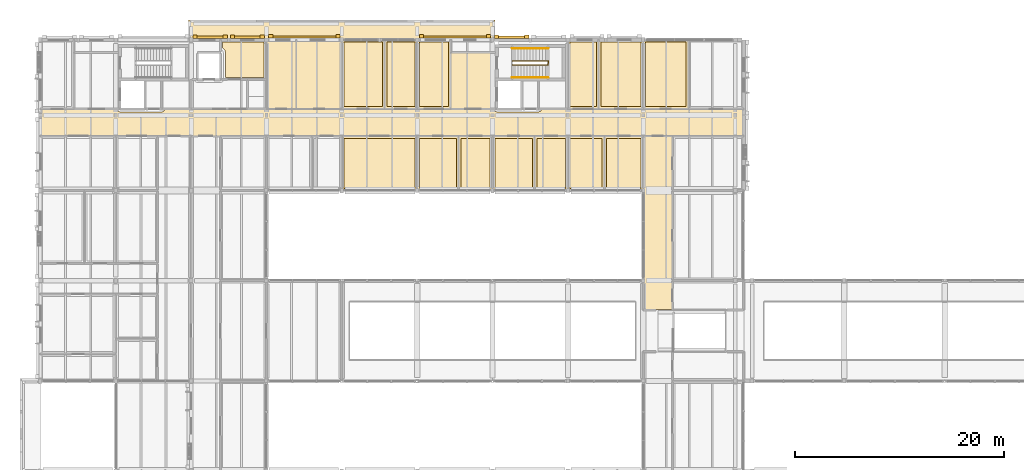
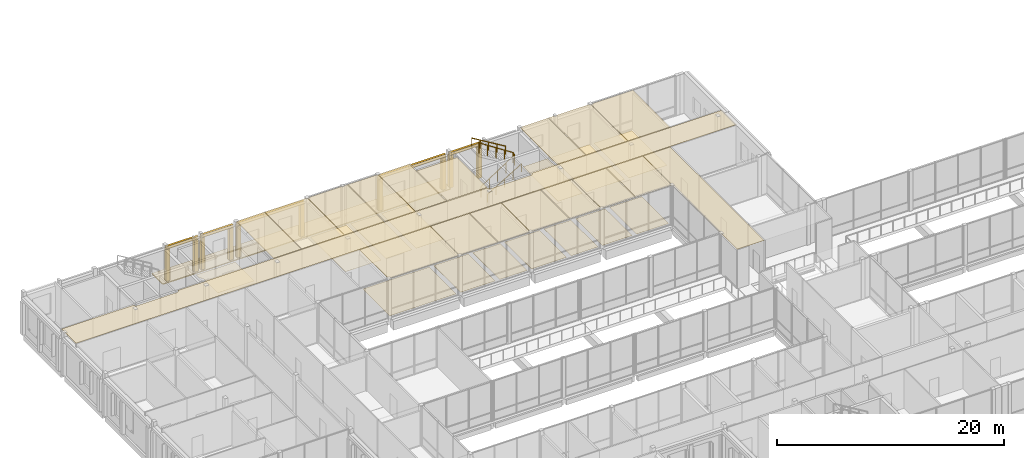
# One storey, part 136 of 146: 48 coverings, 3 railings.
"""IFC4 building model written with IfcOpenShell, lengths in metres."""

from ifc_helpers import new_model, si_unit, direction, frame, origin, origin_2d, place, context, subcontext, project, spatial, polyline, rectangle, circle, outline, extrude, material, layer, layer_set, type_object, element, save


model = new_model("IFC4")

# Units and contexts
model_context = context("Model", 3, precision=1e-05, world=origin(), true_north=direction((0.0, 1.0)))
body_context = subcontext(model_context, "Body", "Model", "MODEL_VIEW")
ifc_project = project(units=[si_unit("LENGTHUNIT", "METRE"), si_unit("AREAUNIT", "SQUARE_METRE"), si_unit("VOLUMEUNIT", "CUBIC_METRE"), si_unit("PLANEANGLEUNIT", "RADIAN"), si_unit("MASSUNIT", "GRAM", prefix="KILO")], contexts=[model_context])

# Site, building, storey
site_placement = place(None, origin())
site = spatial("IfcSite", under=ifc_project, at=site_placement, CompositionType="ELEMENT")
building_placement = place(site_placement, origin())
building = spatial("IfcBuilding", under=site, at=building_placement, Name="Hawrajan Terrace Health Centre", CompositionType="ELEMENT")
storey_placement = place(building_placement, frame((0.0, 0.0, 4.5)))
storey = spatial("IfcBuildingStorey", under=building, at=storey_placement, Name="L01", CompositionType="ELEMENT", Elevation=4.5)

# Coverings
ifc_material_1 = material(Name="Precast concrete C40/50", Category="concrete")
ifc_layer_1 = layer(ifc_material_1, 0.219970703125)
ifc_layer_set_1 = layer_set([ifc_layer_1], Name="Precast concrete C40/50")
covering_type_1 = type_object("IfcCoveringType", Name="ArtDecoCorniceBand", PredefinedType="CLADDING", material=ifc_layer_set_1)
covering_1_placement = place(storey_placement, frame((20.820068359375, 60.06005859375, 3.48974609375), z_axis=(0.0, 0.0, 1.0), x_axis=(1.0, 0.0, 0.0)))
element("IfcCovering", 1, at=covering_1_placement, inside=storey, type_object=covering_type_1, Name="Art Deco limestone cornice band CRN-L01-0062", PredefinedType="CLADDING", context=body_context, shape_type="SweptSolid", body=[
    extrude(rectangle(XDim=3.280029296875, YDim=0.219970703125, at=origin_2d()), origin(), (0.0, 0.0, 1.0), 0.300048828125),
])
covering_2_placement = place(storey_placement, frame((24.3701171875, 60.06005859375, 3.48974609375), z_axis=(0.0, 0.0, 1.0), x_axis=(1.0, 0.0, 0.0)))
element("IfcCovering", 2, at=covering_2_placement, inside=storey, type_object=covering_type_1, Name="Art Deco limestone cornice band CRN-L01-0063", PredefinedType="CLADDING", context=body_context, shape_type="SweptSolid", body=[
    extrude(rectangle(XDim=3.260009765625, YDim=0.219970703125, at=origin_2d()), origin(), (0.0, 0.0, 1.0), 0.300048828125),
])
for number, where, z_axis, x_axis, name in (
    (3, (29.81005859375, 60.070068359375, 3.48974609375), (0.0, 0.0, 1.0), (1.0, 0.0, 0.0), "Art Deco limestone cornice band CRN-L01-0065"),
    (4, (44.2099609375, 60.070068359375, 3.48974609375), (0.0, 0.0, 1.0), (1.0, 0.0, 0.0), "Art Deco limestone cornice band CRN-L01-0068"),
):
    element("IfcCovering", number, at=place(storey_placement, frame(where, z_axis=z_axis, x_axis=x_axis)), inside=storey, type_object=covering_type_1, Name=name, PredefinedType="CLADDING", context=body_context, shape_type="SweptSolid", body=[
        extrude(rectangle(XDim=6.820068359375, YDim=0.219970703125, at=origin_2d()), origin(), (0.0, 0.0, 1.0), 0.300048828125),
    ])
covering_3_placement = place(storey_placement, frame((49.6201171875, 60.06005859375, 3.48974609375), z_axis=(0.0, 0.0, 1.0), x_axis=(1.0, 0.0, 0.0)))
element("IfcCovering", 5, at=covering_3_placement, inside=storey, type_object=covering_type_1, Name="Art Deco limestone cornice band CRN-L01-0072", PredefinedType="CLADDING", context=body_context, shape_type="SweptSolid", body=[
    extrude(rectangle(XDim=3.280029296875, YDim=0.219970703125, at=origin_2d()), origin(), (0.0, 0.0, 1.0), 0.300048828125),
])
ifc_layer_2 = layer(ifc_material_1, 0.340087890625)
ifc_layer_set_2 = layer_set([ifc_layer_2], Name="Precast concrete C40/50")
covering_type_2 = type_object("IfcCoveringType", Name="ArtDecoStonePilaster", PredefinedType="CLADDING", material=ifc_layer_set_2)
for number, where, z_axis, x_axis, name in (
    (6, (19.3798828125, 60.1201171875, 0.0), (0.0, 0.0, 1.0), (1.0, 0.0, 0.0), "Art Deco fluted limestone pilaster FPIL-L01-0097"),
    (7, (22.260009765625, 60.1201171875, 0.0), (0.0, 0.0, 1.0), (1.0, 0.0, 0.0), "Art Deco fluted limestone pilaster FPIL-L01-0098"),
    (8, (22.93994140625, 60.1201171875, 0.0), (0.0, 0.0, 1.0), (1.0, 0.0, 0.0), "Art Deco fluted limestone pilaster FPIL-L01-0099"),
    (9, (25.800048828125, 60.1201171875, 0.0), (0.0, 0.0, 1.0), (1.0, 0.0, 0.0), "Art Deco fluted limestone pilaster FPIL-L01-0100"),
    (10, (26.60009765625, 60.1298828125, 0.0), (0.0, 0.0, 1.0), (1.0, 0.0, 0.0), "Art Deco fluted limestone pilaster FPIL-L01-0103"),
    (11, (33.02001953125, 60.1298828125, 0.0), (0.0, 0.0, 1.0), (1.0, 0.0, 0.0), "Art Deco fluted limestone pilaster FPIL-L01-0104"),
    (12, (41.0, 60.1298828125, 0.0), (0.0, 0.0, 1.0), (1.0, 0.0, 0.0), "Art Deco fluted limestone pilaster FPIL-L01-0111"),
    (13, (47.419921875, 60.1298828125, 0.0), (0.0, 0.0, 1.0), (1.0, 0.0, 0.0), "Art Deco fluted limestone pilaster FPIL-L01-0112"),
    (14, (48.179931640625, 60.1201171875, 0.0), (0.0, 0.0, 1.0), (1.0, 0.0, 0.0), "Art Deco fluted limestone pilaster FPIL-L01-0120"),
    (15, (51.06005859375, 60.1201171875, 0.0), (0.0, 0.0, 1.0), (1.0, 0.0, 0.0), "Art Deco fluted limestone pilaster FPIL-L01-0121"),
):
    element("IfcCovering", number, at=place(storey_placement, frame(where, z_axis=z_axis, x_axis=x_axis)), inside=storey, type_object=covering_type_2, Name=name, PredefinedType="CLADDING", context=body_context, shape_type="SweptSolid", body=[
        extrude(rectangle(XDim=0.39990234375, YDim=0.340087890625, at=origin_2d()), origin(), (0.0, 0.0, 1.0), 3.47998046875),
    ])
ifc_material_2 = material(Name="Hygienic mineral-fibre acoustic tile ceiling")
ifc_layer_3 = layer(ifc_material_2, 0.02490234375)
ifc_layer_set_3 = layer_set([ifc_layer_3], Name="Hygienic mineral-fibre acoustic tile ceiling")
covering_type_3 = type_object("IfcCoveringType", Name="ClinicalAcousticCeiling_25", PredefinedType="CEILING", material=ifc_layer_set_3)
covering_4_placement = place(storey_placement, frame((0.0, 0.0, 4.155029296875)))
element("IfcCovering", 16, at=covering_4_placement, inside=storey, type_object=covering_type_3, Name="Suspended ceiling L01-021", PredefinedType="CEILING", context=body_context, shape_type="SweptSolid", body=[
    extrude(outline(polyline([(43.820068359375, 53.219970703125), (43.820068359375, 58.580078125), (47.929931640625, 58.580078125), (47.929931640625, 53.219970703125), (43.820068359375, 53.219970703125)])), origin(), (0.0, 0.0, 1.0), 0.02490234375),
])
covering_5_placement = place(storey_placement, frame((0.0, 0.0, 4.155029296875)))
element("IfcCovering", 17, at=covering_5_placement, inside=storey, type_object=covering_type_3, Name="Suspended ceiling L01-026", PredefinedType="CEILING", context=body_context, shape_type="SweptSolid", body=[
    extrude(outline(polyline([(71.77490234375, 53.179931640625), (71.77490234375, 50.6201171875), (4.6201171875, 50.6201171875), (4.6201171875, 53.179931640625), (11.930908203125, 53.179931640625), (11.93115234375, 53.174560546875), (11.931396484375, 53.172607421875), (11.93505859375, 53.148193359375), (11.935302734375, 53.146484375), (11.94140625, 53.12255859375), (11.94189453125, 53.12060546875), (11.9501953125, 53.09765625), (11.950927734375, 53.095703125), (11.96142578125, 53.073486328125), (11.96240234375, 53.072021484375), (11.97509765625, 53.05078125), (11.97607421875, 53.04931640625), (11.99072265625, 53.029541015625), (11.991943359375, 53.028076171875), (12.00830078125, 53.009765625), (12.009765625, 53.00830078125), (12.028076171875, 52.991943359375), (12.029541015625, 52.99072265625), (12.04931640625, 52.97607421875), (12.05078125, 52.97509765625), (12.072021484375, 52.96240234375), (12.073486328125, 52.96142578125), (12.095703125, 52.950927734375), (12.09765625, 52.9501953125), (12.12060546875, 52.94189453125), (12.12255859375, 52.94140625), (12.146484375, 52.935302734375), (12.148193359375, 52.93505859375), (12.172607421875, 52.931396484375), (12.174560546875, 52.93115234375), (12.198974609375, 52.929931640625), (12.199951171875, 52.929931640625), (16.199951171875, 52.929931640625), (16.200927734375, 52.929931640625), (16.2255859375, 52.93115234375), (16.227294921875, 52.931396484375), (16.251708984375, 52.93505859375), (16.253662109375, 52.935302734375), (16.27734375, 52.94140625), (16.279296875, 52.94189453125), (16.302490234375, 52.9501953125), (16.30419921875, 52.950927734375), (16.326416015625, 52.96142578125), (16.328125, 52.96240234375), (16.34912109375, 52.97509765625), (16.350830078125, 52.97607421875), (16.37060546875, 52.99072265625), (16.3720703125, 52.991943359375), (16.39013671875, 53.00830078125), (16.3916015625, 53.009765625), (16.408203125, 53.028076171875), (16.4091796875, 53.029541015625), (16.423828125, 53.04931640625), (16.425048828125, 53.05078125), (16.4375, 53.072021484375), (16.438720703125, 53.073486328125), (16.448974609375, 53.095703125), (16.44970703125, 53.09765625), (16.4580078125, 53.12060546875), (16.45849609375, 53.12255859375), (16.464599609375, 53.146484375), (16.465087890625, 53.148193359375), (16.468505859375, 53.172607421875), (16.46875, 53.174560546875), (16.468994140625, 53.179931640625), (47.930908203125, 53.179931640625), (47.93115234375, 53.174560546875), (47.931396484375, 53.172607421875), (47.93505859375, 53.148193359375), (47.935302734375, 53.146484375), (47.94140625, 53.12255859375), (47.94189453125, 53.12060546875), (47.9501953125, 53.09765625), (47.950927734375, 53.095703125), (47.96142578125, 53.073486328125), (47.96240234375, 53.072021484375), (47.97509765625, 53.05078125), (47.97607421875, 53.04931640625), (47.99072265625, 53.029541015625), (47.991943359375, 53.028076171875), (48.00830078125, 53.009765625), (48.009765625, 53.00830078125), (48.028076171875, 52.991943359375), (48.029541015625, 52.99072265625), (48.04931640625, 52.97607421875), (48.05078125, 52.97509765625), (48.072021484375, 52.96240234375), (48.073486328125, 52.96142578125), (48.095703125, 52.950927734375), (48.09765625, 52.9501953125), (48.12060546875, 52.94189453125), (48.12255859375, 52.94140625), (48.146484375, 52.935302734375), (48.148193359375, 52.93505859375), (48.172607421875, 52.931396484375), (48.174560546875, 52.93115234375), (48.198974609375, 52.929931640625), (48.199951171875, 52.929931640625), (52.199951171875, 52.929931640625), (52.200927734375, 52.929931640625), (52.2255859375, 52.93115234375), (52.227294921875, 52.931396484375), (52.251708984375, 52.93505859375), (52.253662109375, 52.935302734375), (52.27734375, 52.94140625), (52.279296875, 52.94189453125), (52.302490234375, 52.9501953125), (52.30419921875, 52.950927734375), (52.326416015625, 52.96142578125), (52.328125, 52.96240234375), (52.34912109375, 52.97509765625), (52.350830078125, 52.97607421875), (52.37060546875, 52.99072265625), (52.3720703125, 52.991943359375), (52.39013671875, 53.00830078125), (52.3916015625, 53.009765625), (52.408203125, 53.028076171875), (52.4091796875, 53.029541015625), (52.423828125, 53.04931640625), (52.425048828125, 53.05078125), (52.4375, 53.072021484375), (52.438720703125, 53.073486328125), (52.448974609375, 53.095703125), (52.44970703125, 53.09765625), (52.4580078125, 53.12060546875), (52.45849609375, 53.12255859375), (52.464599609375, 53.146484375), (52.465087890625, 53.148193359375), (52.468505859375, 53.172607421875), (52.46875, 53.174560546875), (52.468994140625, 53.179931640625), (71.77490234375, 53.179931640625)])), origin(), (0.0, 0.0, 1.0), 0.02490234375),
])
covering_6_placement = place(storey_placement, frame((0.0, 0.0, 4.155029296875)))
element("IfcCovering", 18, at=covering_6_placement, inside=storey, type_object=covering_type_3, Name="Suspended ceiling L01-058", PredefinedType="CEILING", context=body_context, shape_type="SweptSolid", body=[
    extrude(outline(polyline([(62.219970703125, 50.580078125), (64.97998046875, 50.580078125), (64.97998046875, 34.02001953125), (62.219970703125, 34.02001953125), (62.219970703125, 50.580078125)])), origin(), (0.0, 0.0, 1.0), 0.02490234375),
])
covering_7_placement = place(storey_placement, frame((0.0, 0.0, 4.155029296875)))
element("IfcCovering", 19, at=covering_7_placement, inside=storey, type_object=covering_type_3, Name="Suspended ceiling L01-060", PredefinedType="CEILING", context=body_context, shape_type="SweptSolid", body=[
    extrude(outline(polyline([(26.219970703125, 59.780029296875), (29.030029296875, 59.780029296875), (29.030029296875, 53.219970703125), (26.219970703125, 53.219970703125), (26.219970703125, 59.780029296875)])), origin(), (0.0, 0.0, 1.0), 0.02490234375),
])
covering_8_placement = place(storey_placement, frame((0.0, 0.0, 4.155029296875)))
element("IfcCovering", 20, at=covering_8_placement, inside=storey, type_object=covering_type_3, Name="Suspended ceiling L01-061", PredefinedType="CEILING", context=body_context, shape_type="SweptSolid", body=[
    extrude(outline(polyline([(29.070068359375, 59.780029296875), (33.3798828125, 59.780029296875), (33.3798828125, 53.219970703125), (29.070068359375, 53.219970703125), (29.070068359375, 59.780029296875)])), origin(), (0.0, 0.0, 1.0), 0.02490234375),
])
covering_9_placement = place(storey_placement, frame((0.0, 0.0, 4.155029296875)))
element("IfcCovering", 21, at=covering_9_placement, inside=storey, type_object=covering_type_3, Name="Suspended ceiling L01-090", PredefinedType="CEILING", context=body_context, shape_type="SweptSolid", body=[
    extrude(outline(polyline([(33.419921875, 50.580078125), (40.580078125, 50.580078125), (40.580078125, 45.419921875), (33.419921875, 45.419921875), (33.419921875, 50.580078125)])), origin(), (0.0, 0.0, 1.0), 0.02490234375),
])
covering_10_placement = place(storey_placement, frame((0.0, 0.0, 4.155029296875)))
element("IfcCovering", 22, at=covering_10_placement, inside=storey, type_object=covering_type_3, Name="Suspended ceiling L01-091", PredefinedType="CEILING", context=body_context, shape_type="SweptSolid", body=[
    extrude(outline(polyline([(33.419921875, 59.780029296875), (37.469482421875, 59.780029296875), (37.469482421875, 53.219970703125), (33.419921875, 53.219970703125), (33.419921875, 59.780029296875)])), origin(), (0.0, 0.0, 1.0), 0.02490234375),
])
covering_11_placement = place(storey_placement, frame((0.0, 0.0, 4.155029296875)))
element("IfcCovering", 23, at=covering_11_placement, inside=storey, type_object=covering_type_3, Name="Suspended ceiling L01-092", PredefinedType="CEILING", context=body_context, shape_type="SweptSolid", body=[
    extrude(outline(polyline([(37.509521484375, 59.780029296875), (40.580078125, 59.780029296875), (40.580078125, 53.219970703125), (37.509521484375, 53.219970703125), (37.509521484375, 59.780029296875)])), origin(), (0.0, 0.0, 1.0), 0.02490234375),
])
covering_12_placement = place(storey_placement, frame((0.0, 0.0, 4.155029296875)))
element("IfcCovering", 24, at=covering_12_placement, inside=storey, type_object=covering_type_3, Name="Suspended ceiling L01-093", PredefinedType="CEILING", context=body_context, shape_type="SweptSolid", body=[
    extrude(outline(polyline([(40.6201171875, 50.580078125), (44.547119140625, 50.580078125), (44.547119140625, 45.419921875), (40.6201171875, 45.419921875), (40.6201171875, 50.580078125)])), origin(), (0.0, 0.0, 1.0), 0.02490234375),
])
covering_13_placement = place(storey_placement, frame((0.0, 0.0, 4.155029296875)))
element("IfcCovering", 25, at=covering_13_placement, inside=storey, type_object=covering_type_3, Name="Suspended ceiling L01-094", PredefinedType="CEILING", context=body_context, shape_type="SweptSolid", body=[
    extrude(outline(polyline([(44.587158203125, 50.580078125), (47.780029296875, 50.580078125), (47.780029296875, 45.419921875), (44.587158203125, 45.419921875), (44.587158203125, 50.580078125)])), origin(), (0.0, 0.0, 1.0), 0.02490234375),
])
covering_14_placement = place(storey_placement, frame((0.0, 0.0, 4.155029296875)))
element("IfcCovering", 26, at=covering_14_placement, inside=storey, type_object=covering_type_3, Name="Suspended ceiling L01-095", PredefinedType="CEILING", context=body_context, shape_type="SweptSolid", body=[
    extrude(outline(polyline([(40.6201171875, 59.780029296875), (43.780029296875, 59.780029296875), (43.780029296875, 53.219970703125), (40.6201171875, 53.219970703125), (40.6201171875, 59.780029296875)])), origin(), (0.0, 0.0, 1.0), 0.02490234375),
])
covering_15_placement = place(storey_placement, frame((0.0, 0.0, 4.155029296875)))
element("IfcCovering", 27, at=covering_15_placement, inside=storey, type_object=covering_type_3, Name="Suspended ceiling L01-096", PredefinedType="CEILING", context=body_context, shape_type="SweptSolid", body=[
    extrude(outline(polyline([(47.820068359375, 50.580078125), (51.8046875, 50.580078125), (51.8046875, 45.419921875), (47.820068359375, 45.419921875), (47.820068359375, 50.580078125)])), origin(), (0.0, 0.0, 1.0), 0.02490234375),
])
covering_16_placement = place(storey_placement, frame((0.0, 0.0, 4.155029296875)))
element("IfcCovering", 28, at=covering_16_placement, inside=storey, type_object=covering_type_3, Name="Suspended ceiling L01-097", PredefinedType="CEILING", context=body_context, shape_type="SweptSolid", body=[
    extrude(outline(polyline([(51.8447265625, 50.580078125), (54.97998046875, 50.580078125), (54.97998046875, 45.419921875), (51.8447265625, 45.419921875), (51.8447265625, 50.580078125)])), origin(), (0.0, 0.0, 1.0), 0.02490234375),
])
covering_17_placement = place(storey_placement, frame((0.0, 0.0, 4.155029296875)))
element("IfcCovering", 29, at=covering_17_placement, inside=storey, type_object=covering_type_3, Name="Suspended ceiling L01-098", PredefinedType="CEILING", context=body_context, shape_type="SweptSolid", body=[
    extrude(outline(polyline([(55.02001953125, 50.580078125), (58.45751953125, 50.580078125), (58.45751953125, 45.419921875), (55.02001953125, 45.419921875), (55.02001953125, 50.580078125)])), origin(), (0.0, 0.0, 1.0), 0.02490234375),
])
covering_18_placement = place(storey_placement, frame((0.0, 0.0, 4.155029296875)))
element("IfcCovering", 30, at=covering_18_placement, inside=storey, type_object=covering_type_3, Name="Suspended ceiling L01-099", PredefinedType="CEILING", context=body_context, shape_type="SweptSolid", body=[
    extrude(outline(polyline([(58.49755859375, 50.580078125), (62.179931640625, 50.580078125), (62.179931640625, 45.419921875), (58.49755859375, 45.419921875), (58.49755859375, 50.580078125)])), origin(), (0.0, 0.0, 1.0), 0.02490234375),
])
covering_19_placement = place(storey_placement, frame((0.0, 0.0, 4.155029296875)))
element("IfcCovering", 31, at=covering_19_placement, inside=storey, type_object=covering_type_3, Name="Suspended ceiling L01-100", PredefinedType="CEILING", context=body_context, shape_type="SweptSolid", body=[
    extrude(outline(polyline([(55.02001953125, 59.780029296875), (57.910400390625, 59.780029296875), (57.910400390625, 53.219970703125), (55.02001953125, 53.219970703125), (55.02001953125, 59.780029296875)])), origin(), (0.0, 0.0, 1.0), 0.02490234375),
])
covering_20_placement = place(storey_placement, frame((0.0, 0.0, 4.155029296875)))
element("IfcCovering", 32, at=covering_20_placement, inside=storey, type_object=covering_type_3, Name="Suspended ceiling L01-101", PredefinedType="CEILING", context=body_context, shape_type="SweptSolid", body=[
    extrude(outline(polyline([(57.950439453125, 59.780029296875), (62.179931640625, 59.780029296875), (62.179931640625, 53.219970703125), (57.950439453125, 53.219970703125), (57.950439453125, 59.780029296875)])), origin(), (0.0, 0.0, 1.0), 0.02490234375),
])
covering_21_placement = place(storey_placement, frame((0.0, 0.0, 4.155029296875)))
element("IfcCovering", 33, at=covering_21_placement, inside=storey, type_object=covering_type_3, Name="Suspended ceiling L01-103", PredefinedType="CEILING", context=body_context, shape_type="SweptSolid", body=[
    extrude(outline(polyline([(62.219970703125, 59.780029296875), (66.48828125, 59.780029296875), (66.48828125, 53.219970703125), (62.219970703125, 53.219970703125), (62.219970703125, 59.780029296875)])), origin(), (0.0, 0.0, 1.0), 0.02490234375),
])
ifc_material_3 = material(Name="Seamless medical-grade cushioned vinyl flooring")
ifc_layer_4 = layer(ifc_material_3, 0.011962890625)
ifc_layer_set_4 = layer_set([ifc_layer_4], Name="Seamless medical-grade cushioned vinyl flooring")
covering_type_4 = type_object("IfcCoveringType", Name="ClinicalVinylFlooring_12", PredefinedType="FLOORING", material=ifc_layer_set_4)
covering_22_placement = place(storey_placement, origin())
element("IfcCovering", 34, at=covering_22_placement, inside=storey, type_object=covering_type_4, Name="Floor finish L01-087", PredefinedType="FLOORING", context=body_context, shape_type="SweptSolid", body=[
    extrude(outline(polyline([(22.02001953125, 59.015380859375), (22.02001953125, 59.580078125), (25.97998046875, 59.580078125), (25.97998046875, 56.219970703125), (22.27001953125, 56.219970703125), (22.27001953125, 58.60009765625), (22.27001953125, 58.60498046875), (22.27001953125, 58.60595703125), (22.269775390625, 58.61083984375), (22.2685546875, 58.63525390625), (22.267822265625, 58.64501953125), (22.267578125, 58.64697265625), (22.266357421875, 58.65673828125), (22.2626953125, 58.68115234375), (22.260986328125, 58.690673828125), (22.2607421875, 58.692626953125), (22.258544921875, 58.7021484375), (22.252685546875, 58.72607421875), (22.25, 58.735595703125), (22.24951171875, 58.7373046875), (22.246337890625, 58.74658203125), (22.238037109375, 58.769775390625), (22.234619140625, 58.77880859375), (22.23388671875, 58.78076171875), (22.229736328125, 58.789794921875), (22.219482421875, 58.81201171875), (22.21484375, 58.82080078125), (22.214111328125, 58.822509765625), (22.209228515625, 58.8310546875), (22.196533203125, 58.85205078125), (22.19140625, 58.8603515625), (22.190185546875, 58.86181640625), (22.1845703125, 58.869873046875), (22.169921875, 58.8896484375), (22.163818359375, 58.8974609375), (22.16259765625, 58.89892578125), (22.15625, 58.90625), (22.139892578125, 58.924560546875), (22.133056640625, 58.931640625), (22.131591796875, 58.93310546875), (22.12451171875, 58.939697265625), (22.106201171875, 58.956298828125), (22.098876953125, 58.962646484375), (22.097412109375, 58.9638671875), (22.089599609375, 58.969970703125), (22.06982421875, 58.984619140625), (22.06201171875, 58.990234375), (22.060302734375, 58.9912109375), (22.052001953125, 58.99658203125), (22.031005859375, 59.00927734375), (22.0224609375, 59.013916015625), (22.020751953125, 59.014892578125), (22.02001953125, 59.015380859375)])), origin(), (0.0, 0.0, 1.0), 0.011962890625),
])
covering_23_placement = place(storey_placement, origin())
element("IfcCovering", 35, at=covering_23_placement, inside=storey, type_object=covering_type_4, Name="Floor finish L01-090", PredefinedType="FLOORING", context=body_context, shape_type="SweptSolid", body=[
    extrude(outline(polyline([(33.6201171875, 50.3798828125), (40.3798828125, 50.3798828125), (40.3798828125, 45.6201171875), (33.6201171875, 45.6201171875), (33.6201171875, 50.3798828125)])), origin(), (0.0, 0.0, 1.0), 0.011962890625),
])
covering_24_placement = place(storey_placement, origin())
element("IfcCovering", 36, at=covering_24_placement, inside=storey, type_object=covering_type_4, Name="Floor finish L01-091", PredefinedType="FLOORING", context=body_context, shape_type="SweptSolid", body=[
    extrude(outline(polyline([(33.6201171875, 59.580078125), (37.26953125, 59.580078125), (37.26953125, 53.419921875), (33.6201171875, 53.419921875), (33.6201171875, 59.580078125)])), origin(), (0.0, 0.0, 1.0), 0.011962890625),
])
covering_25_placement = place(storey_placement, origin())
element("IfcCovering", 37, at=covering_25_placement, inside=storey, type_object=covering_type_4, Name="Floor finish L01-092", PredefinedType="FLOORING", context=body_context, shape_type="SweptSolid", body=[
    extrude(outline(polyline([(37.709716796875, 59.580078125), (40.3798828125, 59.580078125), (40.3798828125, 53.419921875), (37.709716796875, 53.419921875), (37.709716796875, 59.580078125)])), origin(), (0.0, 0.0, 1.0), 0.011962890625),
])
covering_26_placement = place(storey_placement, origin())
element("IfcCovering", 38, at=covering_26_placement, inside=storey, type_object=covering_type_4, Name="Floor finish L01-093", PredefinedType="FLOORING", context=body_context, shape_type="SweptSolid", body=[
    extrude(outline(polyline([(40.820068359375, 50.3798828125), (44.34716796875, 50.3798828125), (44.34716796875, 45.6201171875), (40.820068359375, 45.6201171875), (40.820068359375, 50.3798828125)])), origin(), (0.0, 0.0, 1.0), 0.011962890625),
])
covering_27_placement = place(storey_placement, origin())
element("IfcCovering", 39, at=covering_27_placement, inside=storey, type_object=covering_type_4, Name="Floor finish L01-094", PredefinedType="FLOORING", context=body_context, shape_type="SweptSolid", body=[
    extrude(outline(polyline([(44.787109375, 50.3798828125), (47.580078125, 50.3798828125), (47.580078125, 45.6201171875), (44.787109375, 45.6201171875), (44.787109375, 50.3798828125)])), origin(), (0.0, 0.0, 1.0), 0.011962890625),
])
covering_28_placement = place(storey_placement, origin())
element("IfcCovering", 40, at=covering_28_placement, inside=storey, type_object=covering_type_4, Name="Floor finish L01-095", PredefinedType="FLOORING", context=body_context, shape_type="SweptSolid", body=[
    extrude(outline(polyline([(40.820068359375, 59.580078125), (43.580078125, 59.580078125), (43.580078125, 53.419921875), (40.820068359375, 53.419921875), (40.820068359375, 59.580078125)])), origin(), (0.0, 0.0, 1.0), 0.011962890625),
])
covering_29_placement = place(storey_placement, origin())
element("IfcCovering", 41, at=covering_29_placement, inside=storey, type_object=covering_type_4, Name="Floor finish L01-096", PredefinedType="FLOORING", context=body_context, shape_type="SweptSolid", body=[
    extrude(outline(polyline([(48.02001953125, 50.3798828125), (51.604736328125, 50.3798828125), (51.604736328125, 45.6201171875), (48.02001953125, 45.6201171875), (48.02001953125, 50.3798828125)])), origin(), (0.0, 0.0, 1.0), 0.011962890625),
])
covering_30_placement = place(storey_placement, origin())
element("IfcCovering", 42, at=covering_30_placement, inside=storey, type_object=covering_type_4, Name="Floor finish L01-097", PredefinedType="FLOORING", context=body_context, shape_type="SweptSolid", body=[
    extrude(outline(polyline([(52.044921875, 50.3798828125), (54.780029296875, 50.3798828125), (54.780029296875, 45.6201171875), (52.044921875, 45.6201171875), (52.044921875, 50.3798828125)])), origin(), (0.0, 0.0, 1.0), 0.011962890625),
])
covering_31_placement = place(storey_placement, origin())
element("IfcCovering", 43, at=covering_31_placement, inside=storey, type_object=covering_type_4, Name="Floor finish L01-098", PredefinedType="FLOORING", context=body_context, shape_type="SweptSolid", body=[
    extrude(outline(polyline([(55.219970703125, 50.3798828125), (58.257568359375, 50.3798828125), (58.257568359375, 45.6201171875), (55.219970703125, 45.6201171875), (55.219970703125, 50.3798828125)])), origin(), (0.0, 0.0, 1.0), 0.011962890625),
])
covering_32_placement = place(storey_placement, origin())
element("IfcCovering", 44, at=covering_32_placement, inside=storey, type_object=covering_type_4, Name="Floor finish L01-099", PredefinedType="FLOORING", context=body_context, shape_type="SweptSolid", body=[
    extrude(outline(polyline([(58.697509765625, 50.3798828125), (61.97998046875, 50.3798828125), (61.97998046875, 45.6201171875), (58.697509765625, 45.6201171875), (58.697509765625, 50.3798828125)])), origin(), (0.0, 0.0, 1.0), 0.011962890625),
])
covering_33_placement = place(storey_placement, origin())
element("IfcCovering", 45, at=covering_33_placement, inside=storey, type_object=covering_type_4, Name="Floor finish L01-100", PredefinedType="FLOORING", context=body_context, shape_type="SweptSolid", body=[
    extrude(outline(polyline([(55.219970703125, 59.580078125), (57.71044921875, 59.580078125), (57.71044921875, 53.419921875), (55.219970703125, 53.419921875), (55.219970703125, 59.580078125)])), origin(), (0.0, 0.0, 1.0), 0.011962890625),
])
covering_34_placement = place(storey_placement, origin())
element("IfcCovering", 46, at=covering_34_placement, inside=storey, type_object=covering_type_4, Name="Floor finish L01-101", PredefinedType="FLOORING", context=body_context, shape_type="SweptSolid", body=[
    extrude(outline(polyline([(58.150390625, 59.580078125), (61.97998046875, 59.580078125), (61.97998046875, 53.419921875), (58.150390625, 53.419921875), (58.150390625, 59.580078125)])), origin(), (0.0, 0.0, 1.0), 0.011962890625),
])
covering_35_placement = place(storey_placement, origin())
element("IfcCovering", 47, at=covering_35_placement, inside=storey, type_object=covering_type_4, Name="Floor finish L01-103", PredefinedType="FLOORING", context=body_context, shape_type="SweptSolid", body=[
    extrude(outline(polyline([(62.419921875, 59.580078125), (66.2880859375, 59.580078125), (66.2880859375, 53.419921875), (62.419921875, 53.419921875), (62.419921875, 59.580078125)])), origin(), (0.0, 0.0, 1.0), 0.011962890625),
])
ifc_material_4 = material(Name="Reflective TPO cool-roof membrane and mineral wool")
ifc_layer_5 = layer(ifc_material_4, 0.094970703125)
ifc_layer_set_5 = layer_set([ifc_layer_5], Name="Reflective TPO cool-roof membrane and mineral wool")
covering_type_5 = type_object("IfcCoveringType", Name="CoolMembrane_Roofing", PredefinedType="ROOFING", material=ifc_layer_set_5)
covering_36_placement = place(storey_placement, frame((0.0, 0.0, -0.050048828125)))
element("IfcCovering", 48, at=covering_36_placement, inside=storey, type_object=covering_type_5, Name="North civic colonnade roofing", PredefinedType="ROOFING", context=body_context, shape_type="SweptSolid", body=[
    extrude(outline(polyline([(18.75, 59.800048828125), (48.050048828125, 59.800048828125), (48.050048828125, 61.699951171875), (18.75, 61.699951171875), (18.75, 59.800048828125)])), origin(), (0.0, 0.0, 1.0), 0.094970703125),
])

# Railings
ifc_material_5 = material(Name="Brushed stainless steel tubular handrail", Category="steel")
railing_type_1 = type_object("IfcRailingType", Name="StairHandrail_900", PredefinedType="HANDRAIL", material=ifc_material_5)
railing_1_placement = place(storey_placement, frame((49.675048828125, 56.199951171875, 0.173095703125)))
element("IfcRailing", 49, at=railing_1_placement, inside=storey, type_object=railing_type_1, Name="Stair handrail ST-2-L01-H1", PredefinedType="HANDRAIL", context=body_context, shape_type="SweptSolid", body=[
    extrude(circle(Radius=0.02392578125, at=origin_2d()), frame((0.024658203125, 0.0, 0.890625), z_axis=(0.856732359591, 0.0, 0.515761247119), x_axis=(0.0, 1.0, 0.0)), (0.0, 0.0, 1.0), 3.96923828125),
    extrude(circle(Radius=0.02099609375, at=origin_2d()), origin(), (0.0, 0.0, 1.0), 0.846923828125),
    extrude(circle(Radius=0.02099609375, at=origin_2d()), frame((0.862548828125, 0.0, 0.519287109375)), (0.0, 0.0, 1.0), 0.846923828125),
    extrude(circle(Radius=0.02099609375, at=origin_2d()), frame((1.72509765625, 0.0, 1.03857421875)), (0.0, 0.0, 1.0), 0.846923828125),
    extrude(circle(Radius=0.02099609375, at=origin_2d()), frame((2.58740234375, 0.0, 1.5576171875)), (0.0, 0.0, 1.0), 0.846923828125),
    extrude(circle(Radius=0.02099609375, at=origin_2d()), frame((3.449951171875, 0.0, 2.076904296875)), (0.0, 0.0, 1.0), 0.846923828125),
])
railing_2_placement = place(storey_placement, frame((53.125, 59.0, 2.423095703125)))
element("IfcRailing", 50, at=railing_2_placement, inside=storey, type_object=railing_type_1, Name="Stair handrail ST-2-L01-H2", PredefinedType="HANDRAIL", context=body_context, shape_type="SweptSolid", body=[
    extrude(circle(Radius=0.02392578125, at=origin_2d()), frame((-0.024658203125, 0.0, 0.890625), z_axis=(-0.856732359591, 0.0, 0.515761247119), x_axis=(0.0, -1.0, 0.0)), (0.0, 0.0, 1.0), 3.96923828125),
    extrude(circle(Radius=0.02099609375, at=origin_2d()), origin(), (0.0, 0.0, 1.0), 0.846923828125),
    extrude(circle(Radius=0.02099609375, at=origin_2d()), frame((-0.862548828125, 0.0, 0.519287109375)), (0.0, 0.0, 1.0), 0.846923828125),
    extrude(circle(Radius=0.02099609375, at=origin_2d()), frame((-1.72509765625, 0.0, 1.03857421875)), (0.0, 0.0, 1.0), 0.846923828125),
    extrude(circle(Radius=0.02099609375, at=origin_2d()), frame((-2.58740234375, 0.0, 1.5576171875)), (0.0, 0.0, 1.0), 0.846923828125),
    extrude(circle(Radius=0.02099609375, at=origin_2d()), frame((-3.449951171875, 0.0, 2.076904296875)), (0.0, 0.0, 1.0), 0.846923828125),
])
ifc_material_6 = material(Name="Painted steel stair well guard", Category="steel")
railing_type_2 = type_object("IfcRailingType", Name="StairWellGuard_1120", PredefinedType="GUARDRAIL", material=ifc_material_6)
railing_3_placement = place(storey_placement, frame((49.699951171875, 57.419921875, 0.0)))
element("IfcRailing", 51, at=railing_3_placement, inside=storey, type_object=railing_type_2, Name="Stair well guard ST-2-L01-G1", PredefinedType="GUARDRAIL", context=body_context, shape_type="SweptSolid", body=[
    extrude(circle(Radius=0.02392578125, at=origin_2d()), frame((0.024169921875, 0.0, 1.112060546875), z_axis=(0.833943147616, 0.0, 0.551850366082), x_axis=(0.0, 1.0, 0.0)), (0.0, 0.0, 1.0), 4.01953125),
    extrude(circle(Radius=0.02392578125, at=origin_2d()), frame((3.404052734375, 0.028564453125, 3.34619140625), z_axis=(0.137000993654, 0.99057091, 0.0), x_axis=(-0.99057091, 0.137000993654, 0.0)), (0.0, 0.0, 1.0), 0.305908203125),
    extrude(circle(Radius=0.02392578125, at=origin_2d()), frame((3.42578125, 0.360107421875, 3.36181640625), z_axis=(-0.837607059222, 0.0, 0.546273204854), x_axis=(0.0, -1.0, 0.0)), (0.0, 0.0, 1.0), 4.06103515625),
    extrude(circle(Radius=0.02099609375, at=origin_2d()), origin(), (0.0, 0.0, 1.0), 1.067138671875),
    extrude(circle(Radius=0.02099609375, at=origin_2d()), frame((0.85009765625, 0.0, 0.5625)), (0.0, 0.0, 1.0), 1.067138671875),
    extrude(circle(Radius=0.02099609375, at=origin_2d()), frame((1.7001953125, 0.0, 1.125)), (0.0, 0.0, 1.0), 1.067138671875),
    extrude(circle(Radius=0.02099609375, at=origin_2d()), frame((2.550048828125, 0.0, 1.6875)), (0.0, 0.0, 1.0), 1.067138671875),
    extrude(circle(Radius=0.02099609375, at=origin_2d()), frame((3.400146484375, 0.0, 2.25)), (0.0, 0.0, 1.0), 1.067138671875),
    extrude(circle(Radius=0.02099609375, at=origin_2d()), frame((3.449951171875, 0.360107421875, 2.25)), (0.0, 0.0, 1.0), 1.067138671875),
    extrude(circle(Radius=0.02099609375, at=origin_2d()), frame((2.58740234375, 0.360107421875, 2.8125)), (0.0, 0.0, 1.0), 1.067138671875),
    extrude(circle(Radius=0.02099609375, at=origin_2d()), frame((1.72509765625, 0.360107421875, 3.375)), (0.0, 0.0, 1.0), 1.067138671875),
    extrude(circle(Radius=0.02099609375, at=origin_2d()), frame((0.862548828125, 0.360107421875, 3.9375)), (0.0, 0.0, 1.0), 1.067138671875),
    extrude(circle(Radius=0.02099609375, at=origin_2d()), frame((0.0, 0.360107421875, 4.5)), (0.0, 0.0, 1.0), 1.067138671875),
])

save(model, "model.ifc")
